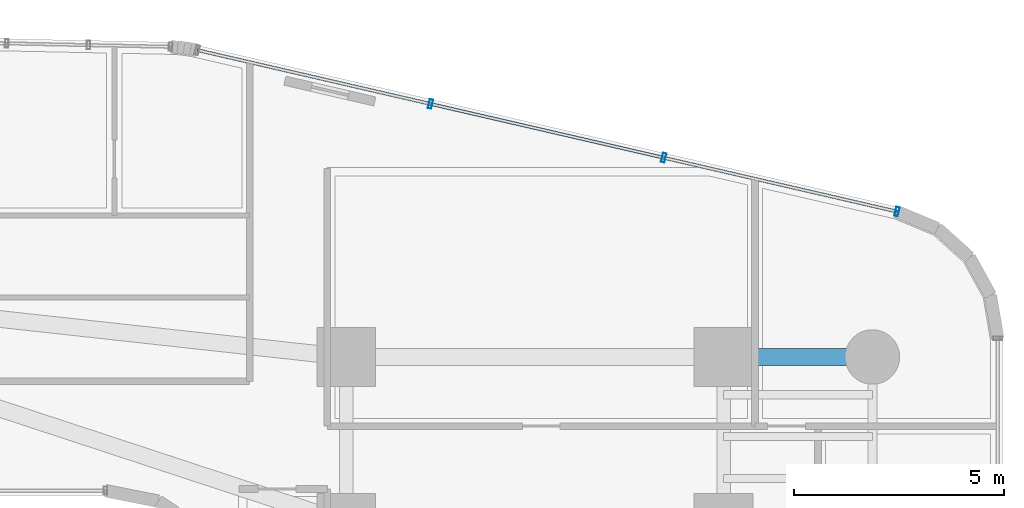
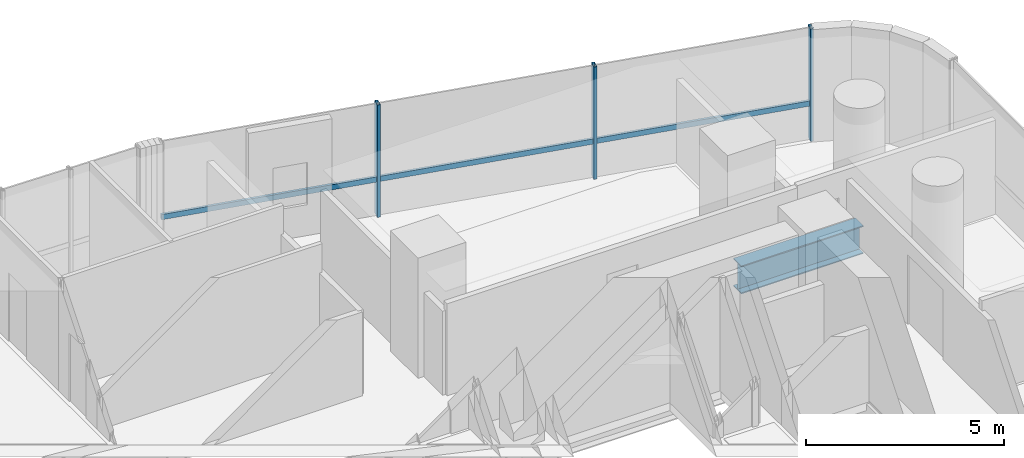
# One storey, part 23 of 40: 4 members, 1 beam, 1 element without a shape of its own.
"""IFC4 building model written with IfcOpenShell, lengths in metres."""

from ifc_helpers import new_model, si_unit, direction, frame, origin, origin_2d, place, context, subcontext, project, spatial, hollow_rectangle, i_section, extrude, source, transform, mapped, material, material_profile, profile_set, type_object, element, aggregate, save


model = new_model("IFC4")

# Units and contexts
model_context = context("Model", 3, precision=1e-05, world=origin(), true_north=direction((0.0, 1.0)))
body_context = subcontext(model_context, "Body", "Model", "MODEL_VIEW")
ifc_project = project(units=[si_unit("LENGTHUNIT", "METRE"), si_unit("AREAUNIT", "SQUARE_METRE"), si_unit("VOLUMEUNIT", "CUBIC_METRE"), si_unit("PLANEANGLEUNIT", "RADIAN"), si_unit("MASSUNIT", "GRAM", prefix="KILO")], contexts=[model_context])

# Site, building, storey
site_placement = place(None, origin())
site = spatial("IfcSite", under=ifc_project, at=site_placement, CompositionType="ELEMENT")
building_placement = place(site_placement, origin())
building = spatial("IfcBuilding", under=site, at=building_placement, Name="Valdorenza Pilgrim Sanctuary Tower", CompositionType="ELEMENT")
storey_placement = place(building_placement, frame((0.0, 0.0, 40.800048828125)))
storey = spatial("IfcBuildingStorey", under=building, at=storey_placement, Name="L09", CompositionType="ELEMENT", Elevation=40.800048828125)

# Beam
ifc_material_1 = material(Name="Steel ASTM A992 Grade 50", Category="steel")
ifc_material_profile_1 = material_profile(ifc_material_1, i_section(OverallWidth=0.39990234375, OverallDepth=0.862060546875, WebThickness=0.019775390625, FlangeThickness=0.032470703125, at=origin_2d()), Name="W33X221")
ifc_profile_set_1 = profile_set([ifc_material_profile_1], Name="Steel ASTM A992 Grade 50")
beam_type = type_object("IfcBeamType", Name="STR-BM-GRD-W33", PredefinedType="BEAM", material=ifc_profile_set_1)
shared_shape_1 = source(origin(), body_context, "Body", "SweptSolid", [
    extrude(i_section(OverallWidth=0.39990234375, OverallDepth=0.862060546875, WebThickness=0.019775390625, FlangeThickness=0.032470703125, at=origin_2d()), origin(), (0.0, 0.0, 1.0), 3.5498046875),
])
beam_placement = place(storey_placement, frame((24.85009765625, 13.5, -0.671142578125), z_axis=(1.0, 0.0, 0.0), x_axis=(0.0, 1.0, 0.0)))
element("IfcBeam", 1, at=beam_placement, inside=storey, type_object=beam_type, Name="L09 Floor Girder WB-XE-N2", PredefinedType="BEAM", context=body_context, shape_type="MappedRepresentation", body=[
    mapped(shared_shape_1, transform((0.0, 0.0, 0.0), x_axis=(1.0, 0.0, 0.0), y_axis=(0.0, 1.0, 0.0), z_axis=(0.0, 0.0, 1.0), scale=1.0)),
])

# Curtain wall, members
ifc_material_2 = material(Name="Curtain-wall IGU glazing", Category="glass")
curtain_wall_type = type_object("IfcCurtainWallType", Name="CW-SYS-03", PredefinedType="NOTDEFINED", material=ifc_material_2)
curtain_wall_placement = place(storey_placement, origin())
curtain_wall = element("IfcCurtainWall", 2, at=curtain_wall_placement, inside=storey, type_object=curtain_wall_type, Name="L09 Curtain Wall CW-L09-1-16", PredefinedType="NOTDEFINED")
ifc_material_3 = material(Name="Anodised aluminium AW-6060", Category="aluminium")
ifc_material_profile_2 = material_profile(ifc_material_3, hollow_rectangle(XDim=0.0849609375, YDim=0.219970703125, WallThickness=0.0048828125, at=origin_2d()), Name="ALU-M 220x85x5")
ifc_profile_set_2 = profile_set([ifc_material_profile_2], Name="Anodised aluminium AW-6060")
member_type_1 = type_object("IfcMemberType", Name="CW-MUL-03", PredefinedType="MULLION", material=ifc_profile_set_2)
shared_shape_2 = source(origin(), body_context, "Body", "SweptSolid", [
    extrude(hollow_rectangle(XDim=0.0849609375, YDim=0.219970703125, WallThickness=0.0048828125, at=origin_2d()), origin(), (0.0, 0.0, 1.0), 3.4599609375),
])
member_1_placement = place(storey_placement, frame((17.861328125, 19.534423828125, 0.0), z_axis=(0.0, 0.0, 1.0), x_axis=(0.974389691758, -0.224866023659, 0.0)))
member_1 = element("IfcMember", 3, at=member_1_placement, type_object=member_type_1, Name="CW-L09-1-16 Mullion 2", PredefinedType="MULLION", context=body_context, shape_type="MappedRepresentation", body=[
    mapped(shared_shape_2, transform((0.0, 0.0, 0.0), x_axis=(1.0, 0.0, 0.0), y_axis=(0.0, 1.0, 0.0), z_axis=(0.0, 0.0, 1.0), scale=1.0)),
])
member_2_placement = place(storey_placement, frame((23.423583984375, 18.2509765625, 0.0), z_axis=(0.0, 0.0, 1.0), x_axis=(0.974389691758, -0.224866023659, 0.0)))
member_2 = element("IfcMember", 4, at=member_2_placement, type_object=member_type_1, Name="CW-L09-1-16 Mullion 3", PredefinedType="MULLION", context=body_context, shape_type="MappedRepresentation", body=[
    mapped(shared_shape_2, transform((0.0, 0.0, 0.0), x_axis=(1.0, 0.0, 0.0), y_axis=(0.0, 1.0, 0.0), z_axis=(0.0, 0.0, 1.0), scale=1.0)),
])
member_3_placement = place(storey_placement, frame((28.98583984375, 16.96728515625, 0.0), z_axis=(0.0, 0.0, 1.0), x_axis=(0.974389691758, -0.224866023659, 0.0)))
member_3 = element("IfcMember", 5, at=member_3_placement, type_object=member_type_1, Name="CW-L09-1-16 Mullion 4", PredefinedType="MULLION", context=body_context, shape_type="MappedRepresentation", body=[
    mapped(shared_shape_2, transform((0.0, 0.0, 0.0), x_axis=(1.0, 0.0, 0.0), y_axis=(0.0, 1.0, 0.0), z_axis=(0.0, 0.0, 1.0), scale=1.0)),
])
ifc_material_profile_3 = material_profile(ifc_material_3, hollow_rectangle(XDim=0.074951171875, YDim=0.159912109375, WallThickness=0.00390625, at=origin_2d()), Name="ALU-T 160x75x4")
ifc_profile_set_3 = profile_set([ifc_material_profile_3], Name="Anodised aluminium AW-6060")
member_type_2 = type_object("IfcMemberType", Name="CW-TRN-03", PredefinedType="USERDEFINED", material=ifc_profile_set_3)
shared_shape_3 = source(origin(), body_context, "Body", "SweptSolid", [
    extrude(hollow_rectangle(XDim=0.074951171875, YDim=0.159912109375, WallThickness=0.00390625, at=origin_2d()), origin(), (0.0, 0.0, 1.0), 17.125244140625),
])
member_4_placement = place(storey_placement, frame((12.299072265625, 20.818115234375, 1.119873046875), z_axis=(0.974390715149, -0.224861589051, 0.0), x_axis=(0.224861589051, 0.974390715149, 0.0)))
member_4 = element("IfcMember", 6, at=member_4_placement, type_object=member_type_2, Name="CW-L09-1-16 Transom 1", ObjectType="TRANSOM", PredefinedType="USERDEFINED", context=body_context, shape_type="MappedRepresentation", body=[
    mapped(shared_shape_3, transform((0.0, 0.0, 0.0), x_axis=(1.0, 0.0, 0.0), y_axis=(0.0, 1.0, 0.0), z_axis=(0.0, 0.0, 1.0), scale=1.0)),
])
aggregate(curtain_wall, [member_1, member_2, member_3, member_4])

save(model, "model.ifc")
